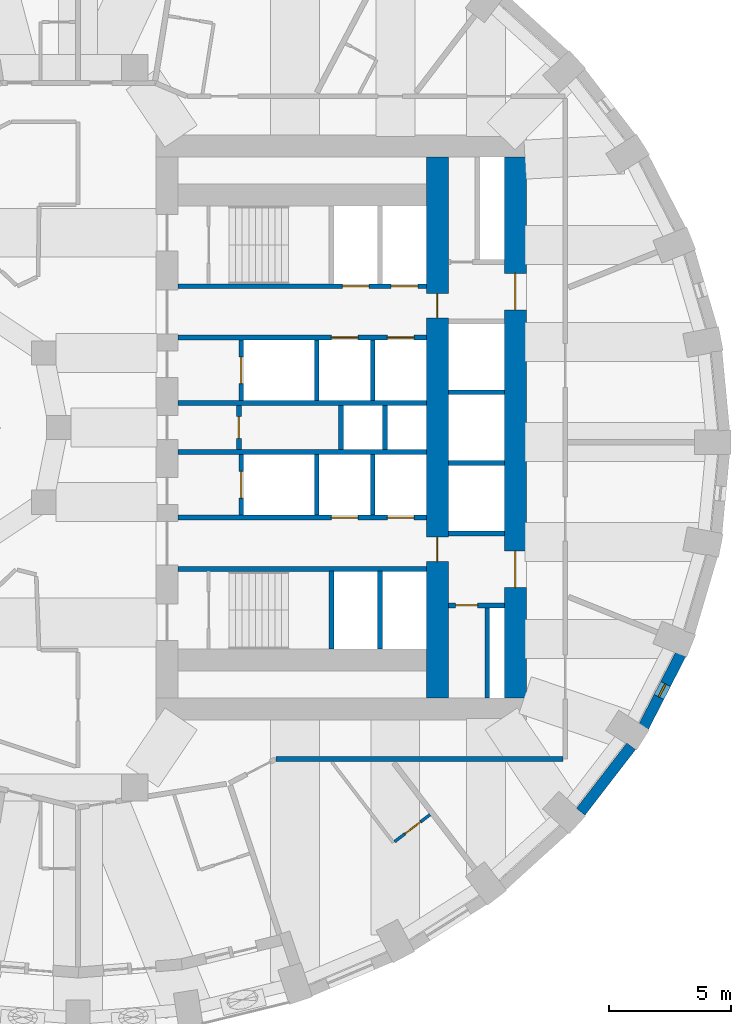
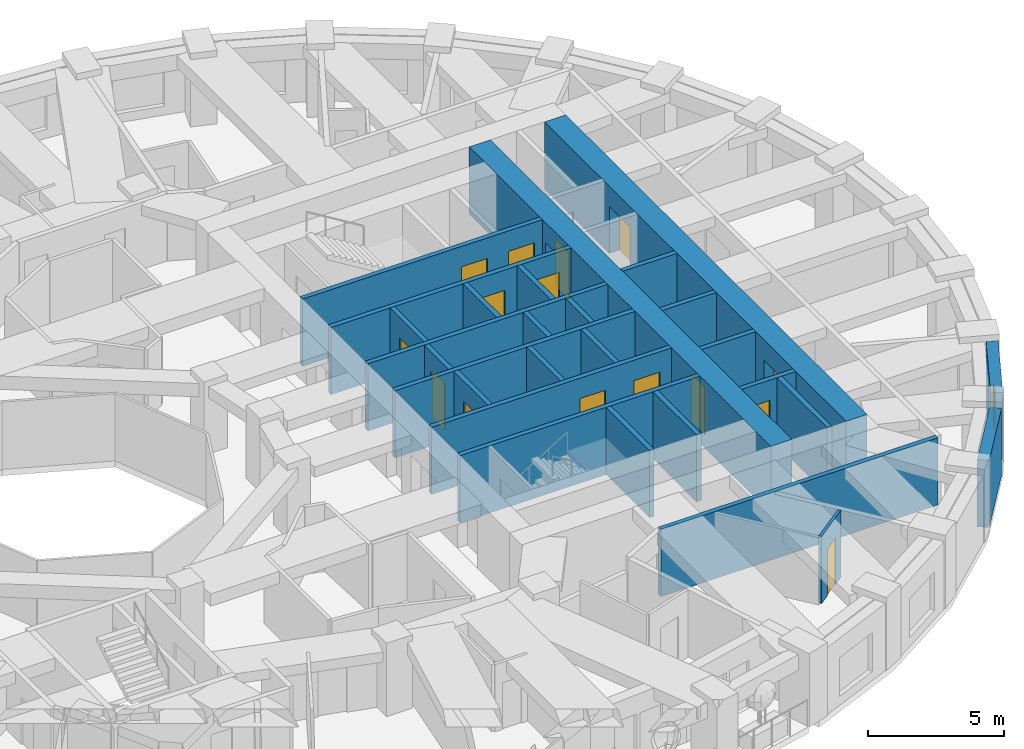
# One storey, part 6 of 13: 28 walls, 15 doors, 1 window, 16 openings.
"""IFC4 building model written with IfcOpenShell, lengths in metres."""

import ifcopenshell
import ifcopenshell.guid

model = None  # the IFC model being written
_history = None  # IfcOwnerHistory: only IFC2X3 demands one
_inside = {}  # id of a spatial element -> (the spatial element, [elements in it])
_under = {}  # id of a project, library or spatial element -> (it, [spatial elements below it])
_declared = {}  # id of a project -> (the project, [libraries it declares])
_typed = {}  # id of a type object -> (the type object, [elements of that type])
_made_of = {}  # id of a material, layer set ... -> (it, [elements and type objects made of it])


def new_model(schema):
    """Start an empty IFC model of exactly this schema.

    Asked for "IFC4X3", IfcOpenShell would pick the latest addendum, in which some entities
    have other attributes; the version numbers below select the first issue.
    IFC2X3 requires an IfcOwnerHistory on every rooted entity: one is made here for all.
    """
    global model, _history
    if schema == "IFC4X3":
        model = ifcopenshell.file(schema_version=(4, 3, 0, 0))
    else:
        model = ifcopenshell.file(schema=schema)
    _inside.clear()
    _under.clear()
    _declared.clear()
    _typed.clear()
    _made_of.clear()
    _history = None
    if model.schema == "IFC2X3":
        org = make("IfcOrganization", Name="unknown")
        user = make(
            "IfcPersonAndOrganization",
            ThePerson=make("IfcPerson", FamilyName="unknown"),
            TheOrganization=org,
        )
        app = make(
            "IfcApplication",
            ApplicationDeveloper=org,
            Version="unknown",
            ApplicationFullName="unknown",
            ApplicationIdentifier="unknown",
        )
        _history = make(
            "IfcOwnerHistory",
            OwningUser=user,
            OwningApplication=app,
            ChangeAction="ADDED",
            CreationDate=0,
        )
    return model


def make(cls, **values):
    """One entity of the class cls with the attributes given. An attribute that is None is left unset."""
    return model.create_entity(
        cls, **{name: value for name, value in values.items() if value is not None}
    )


def rooted(cls, **values):
    """An entity with a GlobalId (a new one), such as an element, a storey or a relation."""
    return make(cls, GlobalId=ifcopenshell.guid.new(), OwnerHistory=_history, **values)


def si_unit(unit_type, name, prefix=None):
    """IfcSIUnit, for example si_unit("LENGTHUNIT", "METRE", prefix="MILLI")."""
    return make("IfcSIUnit", UnitType=unit_type, Prefix=prefix, Name=name)


def assignment(units):
    """IfcUnitAssignment: the units of a project."""
    return None if units is None else make("IfcUnitAssignment", Units=units)


def point(xyz):
    """IfcCartesianPoint."""
    return None if xyz is None else make("IfcCartesianPoint", Coordinates=xyz)


def direction(xyz):
    """IfcDirection."""
    return None if xyz is None else make("IfcDirection", DirectionRatios=xyz)


def frame(location, z_axis=None, x_axis=None):
    """IfcAxis2Placement3D, a coordinate frame: its origin and axes. An axis left out is left unset."""
    return make(
        "IfcAxis2Placement3D",
        Location=point(location),
        Axis=direction(z_axis),
        RefDirection=direction(x_axis),
    )


def frame_2d(location, x_axis=None):
    """IfcAxis2Placement2D, a coordinate frame in the plane: its origin and x axis."""
    return make(
        "IfcAxis2Placement2D", Location=point(location), RefDirection=direction(x_axis)
    )


def origin():
    """The frame at (0, 0, 0) with its axes left unset."""
    return frame((0.0, 0.0, 0.0))


def place(relative_to, where):
    """IfcLocalPlacement: puts the frame where relative to a parent placement (None: the world)."""
    return make(
        "IfcLocalPlacement", PlacementRelTo=relative_to, RelativePlacement=where
    )


def context(
    kind, dimensions, precision=None, world=None, true_north=None, identifier=None
):
    """IfcGeometricRepresentationContext, for example the 3D "Model" context."""
    return make(
        "IfcGeometricRepresentationContext",
        ContextIdentifier=identifier,
        ContextType=kind,
        CoordinateSpaceDimension=dimensions,
        Precision=precision,
        WorldCoordinateSystem=world,
        TrueNorth=true_north,
    )


def subcontext(parent, identifier, kind, view, scale=None):
    """IfcGeometricRepresentationSubContext, for example "Body" below "Model"."""
    return make(
        "IfcGeometricRepresentationSubContext",
        ContextIdentifier=identifier,
        ContextType=kind,
        ParentContext=parent,
        TargetScale=scale,
        TargetView=view,
    )


def project(units=None, contexts=None):
    """IfcProject with its units and contexts."""
    return rooted(
        "IfcProject",
        Name="project",
        RepresentationContexts=contexts,
        UnitsInContext=assignment(units),
    )


def spatial(cls, under=None, at=None, **own):
    """A site, building, storey or space (cls), placed at a placement, below another one or the project."""
    s = rooted(cls, ObjectPlacement=at, **own)
    if under is not None:
        _under.setdefault(under.id(), (under, []))[1].append(s)
    return s


def profile(cls, at=None, kind="AREA", **sizes):
    """A parametric profile (cls). Its sizes go by their IFC names, for example OverallWidth=200.0."""
    return make(cls, ProfileType=kind, Position=at, **sizes)


def rectangle(**sizes):
    """IfcRectangleProfileDef."""
    return profile("IfcRectangleProfileDef", **sizes)


def extrude(swept, where, along, depth):
    """IfcExtrudedAreaSolid: the profile swept, set in the frame where, extruded along a direction by depth."""
    return make(
        "IfcExtrudedAreaSolid",
        SweptArea=swept,
        Position=where,
        ExtrudedDirection=direction(along),
        Depth=depth,
    )


def shape(context_of_items, identifier, shape_type, items):
    """IfcShapeRepresentation: the items that make up one representation, for example the "Body"."""
    return make(
        "IfcShapeRepresentation",
        ContextOfItems=context_of_items,
        RepresentationIdentifier=identifier,
        RepresentationType=shape_type,
        Items=items,
    )


def material(Name=None, Category=None):
    """IfcMaterial."""
    return make("IfcMaterial", Name=Name, Category=Category)


def layer(
    of_material, thickness, ventilated=None, Name=None, Category=None, Priority=None
):
    """IfcMaterialLayer: one layer of a wall or slab, of a material (None: an air gap)."""
    return make(
        "IfcMaterialLayer",
        Material=of_material,
        LayerThickness=thickness,
        IsVentilated=ventilated,
        Name=Name,
        Category=Category,
        Priority=Priority,
    )


def layer_set(layers, Name=None):
    """IfcMaterialLayerSet."""
    return make("IfcMaterialLayerSet", MaterialLayers=layers, LayerSetName=Name)


def made_of(thing, what):
    """Note that an element or type object is made of a material, layer set ...; save() writes the relation."""
    if what is not None:
        _made_of.setdefault(what.id(), (what, []))[1].append(thing)
    return thing


def type_object(cls, material=None, **own):
    """A type object (cls), such as IfcWallType, which elements share."""
    return made_of(rooted(cls, **own), material)


def element(
    cls,
    number,
    at=None,
    inside=None,
    cuts=None,
    type_object=None,
    material=None,
    context=None,
    identifier="Body",
    shape_type=None,
    held_by="IfcProductDefinitionShape",
    body=None,
    shapes=None,
    **own,
):
    """One element of the class cls, such as IfcWall. Its Tag is "e" and its number.

    at: its placement. inside: the storey or other place that contains it. cuts: it is an
    opening in that element (IfcRelVoidsElement). A single representation is given by context,
    identifier, shape_type and body (its items); several are given by shapes. held_by: the class
    of the entity that holds the representations. save() writes the other relations.
    """
    e = rooted(cls, Tag="e%d" % number, ObjectPlacement=at, **own)
    if body is not None:
        shapes = [shape(context, identifier, shape_type, body)]
    if shapes is not None:
        e.Representation = make(held_by, Representations=shapes)
    if inside is not None:
        _inside.setdefault(inside.id(), (inside, []))[1].append(e)
    if cuts is not None:
        rooted(
            "IfcRelVoidsElement", RelatingBuildingElement=cuts, RelatedOpeningElement=e
        )
    if type_object is not None:
        _typed.setdefault(type_object.id(), (type_object, []))[1].append(e)
    return made_of(e, material)


def fill(opening, filler):
    """IfcRelFillsElement: the door or window that sits in an opening."""
    return rooted(
        "IfcRelFillsElement",
        RelatingOpeningElement=opening,
        RelatedBuildingElement=filler,
    )


def aggregate(whole, parts):
    """IfcRelAggregates: a whole, such as a stair, and the parts it consists of."""
    return rooted("IfcRelAggregates", RelatingObject=whole, RelatedObjects=parts)


def save(model, path):
    """Write the relations noted so far, then the file.

    IfcRelAggregates (storeys below a building ...), IfcRelContainedInSpatialStructure (elements
    in a storey), IfcRelDefinesByType, IfcRelAssociatesMaterial and IfcRelDeclares: one each for
    every whole, place, type object, material and project.
    """
    for whole, parts in _under.values():
        aggregate(whole, parts)
    for where, things in _inside.values():
        rooted(
            "IfcRelContainedInSpatialStructure",
            RelatedElements=things,
            RelatingStructure=where,
        )
    for kind, things in _typed.values():
        rooted("IfcRelDefinesByType", RelatedObjects=things, RelatingType=kind)
    for what, things in _made_of.values():
        rooted("IfcRelAssociatesMaterial", RelatedObjects=things, RelatingMaterial=what)
    for by, libraries in _declared.values():
        rooted("IfcRelDeclares", RelatingContext=by, RelatedDefinitions=libraries)
    model.write(path)


model = new_model("IFC4")

# Units and contexts
model_context = context("Model", 3, precision=1e-05, world=origin(), true_north=direction((0.0, 1.0)))
body_context = subcontext(model_context, "Body", "Model", "MODEL_VIEW")
ifc_project = project(units=[si_unit("LENGTHUNIT", "METRE"), si_unit("AREAUNIT", "SQUARE_METRE"), si_unit("VOLUMEUNIT", "CUBIC_METRE"), si_unit("PLANEANGLEUNIT", "RADIAN"), si_unit("MASSUNIT", "GRAM", prefix="KILO")], contexts=[model_context])

# Site, building, storey
site_placement = place(None, origin())
site = spatial("IfcSite", under=ifc_project, at=site_placement, CompositionType="ELEMENT")
building_placement = place(site_placement, origin())
building = spatial("IfcBuilding", under=site, at=building_placement, Name="Taillehof Tower", CompositionType="ELEMENT")
storey_placement = place(building_placement, frame((0.0, 0.0, 112.0)))
storey = spatial("IfcBuildingStorey", under=building, at=storey_placement, Name="L31", CompositionType="ELEMENT", Elevation=112.0)

# Wall
ifc_material_1 = material(Name="Brick masonry", Category="masonry")
ifc_layer_1 = layer(ifc_material_1, 0.449951171875)
ifc_layer_set_1 = layer_set([ifc_layer_1], Name="Brick infill wall 450")
wall_type_1 = type_object("IfcWallType", Name="Brick infill wall 450", PredefinedType="SOLIDWALL", material=ifc_layer_set_1)
wall_1_placement = place(storey_placement, frame((21.43505859375, -15.775390625, 0.0), z_axis=(0.0, 0.0, 1.0), x_axis=(0.610693945156, 0.791866721961, 0.0)))
element("IfcWall", 1, at=wall_1_placement, inside=storey, type_object=wall_type_1, Name="Brick wall L31 bay 33", PredefinedType="SOLIDWALL", context=body_context, shape_type="SweptSolid", body=[
    extrude(rectangle(XDim=3.39453125, YDim=0.449951171875, at=frame_2d((1.697265625, 0.0))), origin(), (0.0, 0.0, 1.0), 3.02001953125),
])

# Wall, opening, window
wall_2_placement = place(storey_placement, frame((24.022705078125, -12.27685546875, 0.0), z_axis=(0.0, 0.0, 1.0), x_axis=(0.456828186229, 0.889554949549, 0.0)))
wall_2 = element("IfcWall", 2, at=wall_2_placement, inside=storey, type_object=wall_type_1, Name="Brick wall L31 bay 34", PredefinedType="SOLIDWALL", context=body_context, shape_type="SweptSolid", body=[
    extrude(rectangle(XDim=3.332763671875, YDim=0.449951171875, at=frame_2d((1.66650390625, 0.0))), origin(), (0.0, 0.0, 1.0), 3.02001953125),
])
opening_1_placement = place(wall_2_placement, frame((1.366455078125, 0.0, 0.39990234375)))
opening_1 = element("IfcOpeningElement", 3, at=opening_1_placement, cuts=wall_2, Name="Opening W6", PredefinedType="OPENING", context=body_context, shape_type="SweptSolid", body=[
    extrude(rectangle(XDim=0.60009765625, YDim=1.75, at=frame_2d((0.300048828125, 0.875))), frame((0.0, 0.23486328125, 0.0), z_axis=(0.0, -1.0, 0.0), x_axis=(1.0, 0.0, 0.0)), (0.0, 0.0, 1.0), 0.469970703125),
])
ifc_material_2 = material(Name="Aluminium window frame with clear double glazing", Category="aluminium")
window_type = type_object("IfcWindowType", Name="Slot window 600x1750", PartitioningType="SINGLE_PANEL", PredefinedType="WINDOW", material=ifc_material_2)
window_placement = place(opening_1_placement, origin())
window = element("IfcWindow", 4, at=window_placement, inside=storey, type_object=window_type, Name="W6", OverallHeight=1.75, OverallWidth=0.60009765625, PartitioningType="SINGLE_PANEL", PredefinedType="WINDOW", context=body_context, shape_type="SweptSolid", body=[
    extrude(rectangle(XDim=0.60009765625, YDim=1.75, at=frame_2d((0.300048828125, 0.875))), frame((0.0, 0.034912109375, 0.0), z_axis=(0.0, -1.0, 0.0), x_axis=(1.0, 0.0, 0.0)), (0.0, 0.0, 1.0), 0.06005859375),
])
fill(opening_1, window)

# Wall, opening, door
ifc_material_3 = material(Name="Calcium silicate masonry", Category="masonry")
ifc_layer_2 = layer(ifc_material_3, 0.199951171875)
ifc_layer_set_2 = layer_set([ifc_layer_2], Name="Compartment wall calcium silicate 200")
wall_type_2 = type_object("IfcWallType", Name="Compartment wall calcium silicate 200", PredefinedType="PARTITIONING", material=ifc_layer_set_2)
wall_3_placement = place(storey_placement, frame((7.39990234375, -0.89990234375, 0.0), z_axis=(0.0, 0.0, 1.0), x_axis=(0.0, 1.0, 0.0)))
wall_3 = element("IfcWall", 5, at=wall_3_placement, inside=storey, type_object=wall_type_2, Name="Compartment wall FW", PredefinedType="PARTITIONING", context=body_context, shape_type="SweptSolid", body=[
    extrude(rectangle(XDim=1.7998046875, YDim=0.199951171875, at=frame_2d((0.89990234375, 0.0))), origin(), (0.0, 0.0, 1.0), 3.02001953125),
])
opening_2_placement = place(wall_3_placement, frame((0.449951171875, 0.0, 0.0)))
opening_2 = element("IfcOpeningElement", 6, at=opening_2_placement, cuts=wall_3, Name="Opening D3114", PredefinedType="OPENING", context=body_context, shape_type="SweptSolid", body=[
    extrude(rectangle(XDim=0.89990234375, YDim=2.10009765625, at=frame_2d((0.449951171875, 1.050048828125))), frame((0.0, 0.10986328125, 0.0), z_axis=(0.0, -1.0, 0.0), x_axis=(1.0, 0.0, 0.0)), (0.0, 0.0, 1.0), 0.219970703125),
])
ifc_material_4 = material(Name="Steel-faced fire door", Category="steel")
door_type_1 = type_object("IfcDoorType", Name="Riser and service room door 900x2100", OperationType="SINGLE_SWING_LEFT", PredefinedType="DOOR", material=ifc_material_4)
door_1_placement = place(opening_2_placement, origin())
door_1 = element("IfcDoor", 7, at=door_1_placement, inside=storey, type_object=door_type_1, Name="Door Ice And Pantry Room", OperationType="SINGLE_SWING_RIGHT", OverallHeight=2.10009765625, OverallWidth=0.89990234375, PredefinedType="DOOR", context=body_context, shape_type="SweptSolid", body=[
    extrude(rectangle(XDim=0.89990234375, YDim=2.10009765625, at=frame_2d((0.449951171875, 1.050048828125))), frame((0.0, 0.02490234375, 0.0), z_axis=(0.0, -1.0, 0.0), x_axis=(1.0, 0.0, 0.0)), (0.0, 0.0, 1.0), 0.050048828125),
])
fill(opening_2, door_1)

# Walls
for number, where, z_axis, x_axis, name in (
    (8, (11.60009765625, -0.89990234375, 0.0), (0.0, 0.0, 1.0), (0.0, 1.0, 0.0), "Compartment wall FW"),
    (9, (13.39990234375, -0.89990234375, 0.0), (0.0, 0.0, 1.0), (0.0, 1.0, 0.0), "Compartment wall FW"),
):
    element("IfcWall", number, at=place(storey_placement, frame(where, z_axis=z_axis, x_axis=x_axis)), inside=storey, type_object=wall_type_2, Name=name, PredefinedType="PARTITIONING", context=body_context, shape_type="SweptSolid", body=[
        extrude(rectangle(XDim=1.7998046875, YDim=0.199951171875, at=frame_2d((0.89990234375, 0.0))), origin(), (0.0, 0.0, 1.0), 3.02001953125),
    ])

# Wall, opening, door
wall_4_placement = place(storey_placement, frame((16.0, -7.300048828125, 0.0), z_axis=(0.0, 0.0, 1.0), x_axis=(1.0, 0.0, 0.0)))
wall_4 = element("IfcWall", 10, at=wall_4_placement, inside=storey, type_object=wall_type_2, Name="Compartment wall FW", PredefinedType="PARTITIONING", context=body_context, shape_type="SweptSolid", body=[
    extrude(rectangle(XDim=2.300048828125, YDim=0.199951171875, at=frame_2d((1.14990234375, 0.0))), origin(), (0.0, 0.0, 1.0), 3.02001953125),
])
opening_3_placement = place(wall_4_placement, frame((0.300048828125, 0.0, 0.0)))
opening_3 = element("IfcOpeningElement", 11, at=opening_3_placement, cuts=wall_4, Name="Opening D3118", PredefinedType="OPENING", context=body_context, shape_type="SweptSolid", body=[
    extrude(rectangle(XDim=0.89990234375, YDim=2.10009765625, at=frame_2d((0.449951171875, 1.050048828125))), frame((0.0, 0.10986328125, 0.0), z_axis=(0.0, -1.0, 0.0), x_axis=(1.0, 0.0, 0.0)), (0.0, 0.0, 1.0), 0.219970703125),
])
door_2_placement = place(opening_3_placement, origin())
door_2 = element("IfcDoor", 12, at=door_2_placement, inside=storey, type_object=door_type_1, Name="Door Waste Room", OperationType="SINGLE_SWING_LEFT", OverallHeight=2.10009765625, OverallWidth=0.89990234375, PredefinedType="DOOR", context=body_context, shape_type="SweptSolid", body=[
    extrude(rectangle(XDim=0.89990234375, YDim=2.10009765625, at=frame_2d((0.449951171875, 1.050048828125))), frame((0.0, 0.02490234375, 0.0), z_axis=(0.0, -1.0, 0.0), x_axis=(1.0, 0.0, 0.0)), (0.0, 0.0, 1.0), 0.050048828125),
])
fill(opening_3, door_2)

# Walls
wall_5_placement = place(storey_placement, frame((17.60009765625, -11.10009765625, 0.0), z_axis=(0.0, 0.0, 1.0), x_axis=(0.0, 1.0, 0.0)))
element("IfcWall", 13, at=wall_5_placement, inside=storey, type_object=wall_type_2, Name="Compartment wall FW", PredefinedType="PARTITIONING", context=body_context, shape_type="SweptSolid", body=[
    extrude(rectangle(XDim=3.7001953125, YDim=0.199951171875, at=frame_2d((1.85009765625, 0.0))), origin(), (0.0, 0.0, 1.0), 3.02001953125),
])
ifc_material_5 = material(Name="Gypsum board on steel studs, two layers each side", Category="steel")
ifc_layer_3 = layer(ifc_material_5, 0.199951171875)
ifc_layer_set_3 = layer_set([ifc_layer_3], Name="Compartment wall corridor 200")
wall_type_3 = type_object("IfcWallType", Name="Compartment wall corridor 200", PredefinedType="PARTITIONING", material=ifc_layer_set_3)
wall_6_placement = place(storey_placement, frame((20.699951171875, -13.60009765625, 0.0), z_axis=(0.0, 0.0, 1.0), x_axis=(-1.0, 0.0, 0.0)))
element("IfcWall", 14, at=wall_6_placement, inside=storey, type_object=wall_type_3, Name="Compartment wall", PredefinedType="PARTITIONING", context=body_context, shape_type="SweptSolid", body=[
    extrude(rectangle(XDim=11.77197265625, YDim=0.199951171875, at=frame_2d((5.885986328125, 0.0))), origin(), (0.0, 0.0, 1.0), 3.02001953125),
])

# Wall, openings, doors
ifc_material_6 = material(Name="Concrete C80/95", Category="concrete")
ifc_layer_4 = layer(ifc_material_6, 0.89990234375)
ifc_layer_set_4 = layer_set([ifc_layer_4], Name="Core wall C80/95 900")
wall_type_4 = type_object("IfcWallType", Name="Core wall C80/95 900", PredefinedType="SHEAR", material=ifc_layer_set_4)
wall_7_placement = place(storey_placement, frame((18.75, -11.10009765625, 0.0), z_axis=(0.0, 0.0, 1.0), x_axis=(0.0, 1.0, 0.0)))
wall_7 = element("IfcWall", 15, at=wall_7_placement, inside=storey, type_object=wall_type_4, Name="Core wall CW02", PredefinedType="SHEAR", context=body_context, shape_type="SweptSolid", body=[
    extrude(rectangle(XDim=22.2001953125, YDim=0.89990234375, at=frame_2d((11.10009765625, 0.0))), origin(), (0.0, 0.0, 1.0), 3.02001953125),
])
opening_4_placement = place(wall_7_placement, frame((15.925048828125, 0.0, 0.0)))
opening_4 = element("IfcOpeningElement", 16, at=opening_4_placement, cuts=wall_7, Name="Opening D3108", PredefinedType="OPENING", context=body_context, shape_type="SweptSolid", body=[
    extrude(rectangle(XDim=1.5, YDim=2.10009765625, at=frame_2d((0.75, 1.050048828125))), frame((0.0, 0.4599609375, 0.0), z_axis=(0.0, -1.0, 0.0), x_axis=(1.0, 0.0, 0.0)), (0.0, 0.0, 1.0), 0.919921875),
])
opening_5_placement = place(wall_7_placement, frame((4.52490234375, 0.0, 0.0)))
opening_5 = element("IfcOpeningElement", 17, at=opening_5_placement, cuts=wall_7, Name="Opening D3109", PredefinedType="OPENING", context=body_context, shape_type="SweptSolid", body=[
    extrude(rectangle(XDim=1.5, YDim=2.10009765625, at=frame_2d((0.75, 1.050048828125))), frame((0.0, 0.4599609375, 0.0), z_axis=(0.0, -1.0, 0.0), x_axis=(1.0, 0.0, 0.0)), (0.0, 0.0, 1.0), 0.919921875),
])
ifc_material_7 = material(Name="Steel-faced fire door", Category="steel")
door_type_2 = type_object("IfcDoorType", Name="Lift lobby east door 1500x2100", OperationType="DOUBLE_DOOR_SINGLE_SWING", PredefinedType="DOOR", material=ifc_material_7)
door_3_placement = place(opening_4_placement, origin())
door_3 = element("IfcDoor", 18, at=door_3_placement, inside=storey, type_object=door_type_2, Name="Lift lobby east door north", OperationType="DOUBLE_DOOR_SINGLE_SWING", OverallHeight=2.10009765625, OverallWidth=1.5, PredefinedType="DOOR", context=body_context, shape_type="SweptSolid", body=[
    extrude(rectangle(XDim=1.5, YDim=2.10009765625, at=frame_2d((0.75, 1.050048828125))), frame((0.0, 0.02490234375, 0.0), z_axis=(0.0, -1.0, 0.0), x_axis=(1.0, 0.0, 0.0)), (0.0, 0.0, 1.0), 0.050048828125),
])
fill(opening_4, door_3)
door_4_placement = place(opening_5_placement, origin())
door_4 = element("IfcDoor", 19, at=door_4_placement, inside=storey, type_object=door_type_2, Name="Lift lobby east door south", OperationType="DOUBLE_DOOR_SINGLE_SWING", OverallHeight=2.10009765625, OverallWidth=1.5, PredefinedType="DOOR", context=body_context, shape_type="SweptSolid", body=[
    extrude(rectangle(XDim=1.5, YDim=2.10009765625, at=frame_2d((0.75, 1.050048828125))), frame((0.0, 0.02490234375, 0.0), z_axis=(0.0, -1.0, 0.0), x_axis=(1.0, 0.0, 0.0)), (0.0, 0.0, 1.0), 0.050048828125),
])
fill(opening_5, door_4)

wall_8_placement = place(storey_placement, frame((15.550048828125, -11.10009765625, 0.0), z_axis=(0.0, 0.0, 1.0), x_axis=(0.0, 1.0, 0.0)))
wall_8 = element("IfcWall", 20, at=wall_8_placement, inside=storey, type_object=wall_type_4, Name="Core wall CW05", PredefinedType="SHEAR", context=body_context, shape_type="SweptSolid", body=[
    extrude(rectangle(XDim=22.2001953125, YDim=0.89990234375, at=frame_2d((11.10009765625, 0.0))), origin(), (0.0, 0.0, 1.0), 3.02001953125),
])
opening_6_placement = place(wall_8_placement, frame((15.60009765625, 0.0, 0.0)))
opening_6 = element("IfcOpeningElement", 21, at=opening_6_placement, cuts=wall_8, Name="Opening D3115", PredefinedType="OPENING", context=body_context, shape_type="SweptSolid", body=[
    extrude(rectangle(XDim=1.0, YDim=2.10009765625, at=frame_2d((0.5, 1.050048828125))), frame((0.0, 0.4599609375, 0.0), z_axis=(0.0, -1.0, 0.0), x_axis=(1.0, 0.0, 0.0)), (0.0, 0.0, 1.0), 0.919921875),
])
opening_7_placement = place(wall_8_placement, frame((5.60009765625, 0.0, 0.0)))
opening_7 = element("IfcOpeningElement", 22, at=opening_7_placement, cuts=wall_8, Name="Opening D3117", PredefinedType="OPENING", context=body_context, shape_type="SweptSolid", body=[
    extrude(rectangle(XDim=1.0, YDim=2.10009765625, at=frame_2d((0.5, 1.050048828125))), frame((0.0, 0.4599609375, 0.0), z_axis=(0.0, -1.0, 0.0), x_axis=(1.0, 0.0, 0.0)), (0.0, 0.0, 1.0), 0.919921875),
])
ifc_material_8 = material(Name="Steel-faced fire door", Category="steel")
door_type_3 = type_object("IfcDoorType", Name="Service door 1000x2100", OperationType="SINGLE_SWING_RIGHT", PredefinedType="DOOR", material=ifc_material_8)
door_5_placement = place(opening_6_placement, origin())
door_5 = element("IfcDoor", 23, at=door_5_placement, inside=storey, type_object=door_type_3, Name="Service door strip", OperationType="SINGLE_SWING_RIGHT", OverallHeight=2.10009765625, OverallWidth=1.0, PredefinedType="DOOR", context=body_context, shape_type="SweptSolid", body=[
    extrude(rectangle(XDim=1.0, YDim=2.10009765625, at=frame_2d((0.5, 1.050048828125))), frame((0.0, 0.02490234375, 0.0), z_axis=(0.0, -1.0, 0.0), x_axis=(1.0, 0.0, 0.0)), (0.0, 0.0, 1.0), 0.050048828125),
])
fill(opening_6, door_5)
door_6_placement = place(opening_7_placement, origin())
door_6 = element("IfcDoor", 24, at=door_6_placement, inside=storey, type_object=door_type_3, Name="Service door strip", OperationType="SINGLE_SWING_LEFT", OverallHeight=2.10009765625, OverallWidth=1.0, PredefinedType="DOOR", context=body_context, shape_type="SweptSolid", body=[
    extrude(rectangle(XDim=1.0, YDim=2.10009765625, at=frame_2d((0.5, 1.050048828125))), frame((0.0, 0.02490234375, 0.0), z_axis=(0.0, -1.0, 0.0), x_axis=(1.0, 0.0, 0.0)), (0.0, 0.0, 1.0), 0.050048828125),
])
fill(opening_7, door_6)

# Wall, opening, door
ifc_material_9 = material(Name="Gypsum board on steel studs, moisture resistant", Category="steel")
ifc_layer_5 = layer(ifc_material_9, 0.1201171875)
ifc_layer_set_5 = layer_set([ifc_layer_5], Name="En-suite wall 120")
wall_type_5 = type_object("IfcWallType", Name="En-suite wall 120", PredefinedType="PARTITIONING", material=ifc_layer_set_5)
wall_9_placement = place(storey_placement, frame((13.793701171875, -17.00244140625, 0.0), z_axis=(0.0, 0.0, 1.0), x_axis=(0.794653128783, 0.607063756878, 0.0)))
wall_9 = element("IfcWall", 25, at=wall_9_placement, inside=storey, type_object=wall_type_5, Name="En-suite wall", PredefinedType="PARTITIONING", context=body_context, shape_type="SweptSolid", body=[
    extrude(rectangle(XDim=1.829833984375, YDim=0.1201171875, at=frame_2d((0.9150390625, 0.0))), origin(), (0.0, 0.0, 1.0), 3.02001953125),
])
opening_8_placement = place(wall_9_placement, frame((0.539794921875, 0.0, 0.0)))
opening_8 = element("IfcOpeningElement", 26, at=opening_8_placement, cuts=wall_9, Name="Opening D3163", PredefinedType="OPENING", context=body_context, shape_type="SweptSolid", body=[
    extrude(rectangle(XDim=0.800048828125, YDim=2.10009765625, at=frame_2d((0.39990234375, 1.050048828125))), frame((0.0, 0.070068359375, 0.0), z_axis=(0.0, -1.0, 0.0), x_axis=(1.0, 0.0, 0.0)), (0.0, 0.0, 1.0), 0.14013671875),
])
ifc_material_10 = material(Name="Timber door leaf in steel frame", Category="steel")
door_type_4 = type_object("IfcDoorType", Name="En-suite door 800 x 2100", OperationType="SINGLE_SWING_LEFT", PredefinedType="DOOR", material=ifc_material_10)
door_7_placement = place(opening_8_placement, origin())
door_7 = element("IfcDoor", 27, at=door_7_placement, inside=storey, type_object=door_type_4, Name="D3163", OperationType="SINGLE_SWING_LEFT", OverallHeight=2.10009765625, OverallWidth=0.800048828125, PredefinedType="DOOR", context=body_context, shape_type="SweptSolid", body=[
    extrude(rectangle(XDim=0.800048828125, YDim=2.10009765625, at=frame_2d((0.39990234375, 1.050048828125))), frame((0.0, 0.02490234375, 0.0), z_axis=(0.0, -1.0, 0.0), x_axis=(1.0, 0.0, 0.0)), (0.0, 0.0, 1.0), 0.050048828125),
])
fill(opening_8, door_7)

# Wall, openings, doors
ifc_material_11 = material(Name="Concrete C50/60", Category="concrete")
ifc_layer_6 = layer(ifc_material_11, 0.199951171875)
ifc_layer_set_6 = layer_set([ifc_layer_6], Name="Shaft wall C50/60 200")
wall_type_6 = type_object("IfcWallType", Name="Shaft wall C50/60 200", PredefinedType="SHEAR", material=ifc_layer_set_6)
wall_10_placement = place(storey_placement, frame((4.89990234375, 5.800048828125, 0.0), z_axis=(0.0, 0.0, 1.0), x_axis=(1.0, 0.0, 0.0)))
wall_10 = element("IfcWall", 28, at=wall_10_placement, inside=storey, type_object=wall_type_6, Name="Shaft wall SW", PredefinedType="SHEAR", context=body_context, shape_type="SweptSolid", body=[
    extrude(rectangle(XDim=10.2001953125, YDim=0.199951171875, at=frame_2d((5.10009765625, 0.0))), origin(), (0.0, 0.0, 1.0), 3.02001953125),
])
opening_9_placement = place(wall_10_placement, frame((6.75, 0.0, 0.0)))
opening_9 = element("IfcOpeningElement", 29, at=opening_9_placement, cuts=wall_10, Name="Opening LD1", PredefinedType="OPENING", context=body_context, shape_type="SweptSolid", body=[
    extrude(rectangle(XDim=1.10009765625, YDim=2.10009765625, at=frame_2d((0.550048828125, 1.050048828125))), frame((0.0, 0.10986328125, 0.0), z_axis=(0.0, -1.0, 0.0), x_axis=(1.0, 0.0, 0.0)), (0.0, 0.0, 1.0), 0.219970703125),
])
opening_10_placement = place(wall_10_placement, frame((8.75, 0.0, 0.0)))
opening_10 = element("IfcOpeningElement", 30, at=opening_10_placement, cuts=wall_10, Name="Opening LD1", PredefinedType="OPENING", context=body_context, shape_type="SweptSolid", body=[
    extrude(rectangle(XDim=1.10009765625, YDim=2.10009765625, at=frame_2d((0.550048828125, 1.050048828125))), frame((0.0, 0.10986328125, 0.0), z_axis=(0.0, -1.0, 0.0), x_axis=(1.0, 0.0, 0.0)), (0.0, 0.0, 1.0), 0.219970703125),
])
ifc_material_12 = material(Name="Stainless steel", Category="steel")
door_type_5 = type_object("IfcDoorType", Name="Lift landing door LD1 1100x2100", OperationType="DOUBLE_DOOR_SLIDING", PredefinedType="DOOR", material=ifc_material_12)
door_8_placement = place(opening_9_placement, origin())
door_8 = element("IfcDoor", 31, at=door_8_placement, inside=storey, type_object=door_type_5, Name="Landing door LR1", OperationType="DOUBLE_DOOR_SLIDING", OverallHeight=2.10009765625, OverallWidth=1.10009765625, PredefinedType="DOOR", context=body_context, shape_type="SweptSolid", body=[
    extrude(rectangle(XDim=1.10009765625, YDim=2.10009765625, at=frame_2d((0.550048828125, 1.050048828125))), frame((0.0, 0.02490234375, 0.0), z_axis=(0.0, -1.0, 0.0), x_axis=(1.0, 0.0, 0.0)), (0.0, 0.0, 1.0), 0.050048828125),
])
fill(opening_9, door_8)
door_9_placement = place(opening_10_placement, origin())
door_9 = element("IfcDoor", 32, at=door_9_placement, inside=storey, type_object=door_type_5, Name="Landing door LR2", OperationType="DOUBLE_DOOR_SLIDING", OverallHeight=2.10009765625, OverallWidth=1.10009765625, PredefinedType="DOOR", context=body_context, shape_type="SweptSolid", body=[
    extrude(rectangle(XDim=1.10009765625, YDim=2.10009765625, at=frame_2d((0.550048828125, 1.050048828125))), frame((0.0, 0.02490234375, 0.0), z_axis=(0.0, -1.0, 0.0), x_axis=(1.0, 0.0, 0.0)), (0.0, 0.0, 1.0), 0.050048828125),
])
fill(opening_10, door_9)

wall_11_placement = place(storey_placement, frame((4.89990234375, 3.699951171875, 0.0), z_axis=(0.0, 0.0, 1.0), x_axis=(1.0, 0.0, 0.0)))
wall_11 = element("IfcWall", 33, at=wall_11_placement, inside=storey, type_object=wall_type_6, Name="Shaft wall SW", PredefinedType="SHEAR", context=body_context, shape_type="SweptSolid", body=[
    extrude(rectangle(XDim=10.2001953125, YDim=0.199951171875, at=frame_2d((5.10009765625, 0.0))), origin(), (0.0, 0.0, 1.0), 3.02001953125),
])
opening_11_placement = place(wall_11_placement, frame((6.300048828125, 0.0, 0.0)))
opening_11 = element("IfcOpeningElement", 34, at=opening_11_placement, cuts=wall_11, Name="Opening LD1", PredefinedType="OPENING", context=body_context, shape_type="SweptSolid", body=[
    extrude(rectangle(XDim=1.10009765625, YDim=2.10009765625, at=frame_2d((0.550048828125, 1.050048828125))), frame((0.0, 0.10986328125, 0.0), z_axis=(0.0, -1.0, 0.0), x_axis=(1.0, 0.0, 0.0)), (0.0, 0.0, 1.0), 0.219970703125),
])
opening_12_placement = place(wall_11_placement, frame((8.60009765625, 0.0, 0.0)))
opening_12 = element("IfcOpeningElement", 35, at=opening_12_placement, cuts=wall_11, Name="Opening LD1", PredefinedType="OPENING", context=body_context, shape_type="SweptSolid", body=[
    extrude(rectangle(XDim=1.10009765625, YDim=2.10009765625, at=frame_2d((0.550048828125, 1.050048828125))), frame((0.0, 0.10986328125, 0.0), z_axis=(0.0, -1.0, 0.0), x_axis=(1.0, 0.0, 0.0)), (0.0, 0.0, 1.0), 0.219970703125),
])
door_10_placement = place(opening_11_placement, origin())
door_10 = element("IfcDoor", 36, at=door_10_placement, inside=storey, type_object=door_type_5, Name="Landing door LR3", OperationType="DOUBLE_DOOR_SLIDING", OverallHeight=2.10009765625, OverallWidth=1.10009765625, PredefinedType="DOOR", context=body_context, shape_type="SweptSolid", body=[
    extrude(rectangle(XDim=1.10009765625, YDim=2.10009765625, at=frame_2d((0.550048828125, 1.050048828125))), frame((0.0, 0.02490234375, 0.0), z_axis=(0.0, -1.0, 0.0), x_axis=(1.0, 0.0, 0.0)), (0.0, 0.0, 1.0), 0.050048828125),
])
fill(opening_11, door_10)
door_11_placement = place(opening_12_placement, origin())
door_11 = element("IfcDoor", 37, at=door_11_placement, inside=storey, type_object=door_type_5, Name="Landing door LR4", OperationType="DOUBLE_DOOR_SLIDING", OverallHeight=2.10009765625, OverallWidth=1.10009765625, PredefinedType="DOOR", context=body_context, shape_type="SweptSolid", body=[
    extrude(rectangle(XDim=1.10009765625, YDim=2.10009765625, at=frame_2d((0.550048828125, 1.050048828125))), frame((0.0, 0.02490234375, 0.0), z_axis=(0.0, -1.0, 0.0), x_axis=(1.0, 0.0, 0.0)), (0.0, 0.0, 1.0), 0.050048828125),
])
fill(opening_12, door_11)

# Walls
for number, where, z_axis, x_axis, name in (
    (38, (4.89990234375, 1.0, 0.0), (0.0, 0.0, 1.0), (1.0, 0.0, 0.0), "Shaft wall SW"),
    (39, (4.89990234375, -1.0, 0.0), (0.0, 0.0, 1.0), (1.0, 0.0, 0.0), "Shaft wall SW"),
):
    element("IfcWall", number, at=place(storey_placement, frame(where, z_axis=z_axis, x_axis=x_axis)), inside=storey, type_object=wall_type_6, Name=name, PredefinedType="SHEAR", context=body_context, shape_type="SweptSolid", body=[
        extrude(rectangle(XDim=10.2001953125, YDim=0.199951171875, at=frame_2d((5.10009765625, 0.0))), origin(), (0.0, 0.0, 1.0), 3.02001953125),
    ])

# Wall, openings, doors
wall_12_placement = place(storey_placement, frame((4.89990234375, -3.699951171875, 0.0), z_axis=(0.0, 0.0, 1.0), x_axis=(1.0, 0.0, 0.0)))
wall_12 = element("IfcWall", 40, at=wall_12_placement, inside=storey, type_object=wall_type_6, Name="Shaft wall SW", PredefinedType="SHEAR", context=body_context, shape_type="SweptSolid", body=[
    extrude(rectangle(XDim=10.2001953125, YDim=0.199951171875, at=frame_2d((5.10009765625, 0.0))), origin(), (0.0, 0.0, 1.0), 3.02001953125),
])
opening_13_placement = place(wall_12_placement, frame((6.300048828125, 0.0, 0.0)))
opening_13 = element("IfcOpeningElement", 41, at=opening_13_placement, cuts=wall_12, Name="Opening LD1", PredefinedType="OPENING", context=body_context, shape_type="SweptSolid", body=[
    extrude(rectangle(XDim=1.10009765625, YDim=2.10009765625, at=frame_2d((0.550048828125, 1.050048828125))), frame((0.0, 0.10986328125, 0.0), z_axis=(0.0, -1.0, 0.0), x_axis=(1.0, 0.0, 0.0)), (0.0, 0.0, 1.0), 0.219970703125),
])
opening_14_placement = place(wall_12_placement, frame((8.60009765625, 0.0, 0.0)))
opening_14 = element("IfcOpeningElement", 42, at=opening_14_placement, cuts=wall_12, Name="Opening LD1", PredefinedType="OPENING", context=body_context, shape_type="SweptSolid", body=[
    extrude(rectangle(XDim=1.10009765625, YDim=2.10009765625, at=frame_2d((0.550048828125, 1.050048828125))), frame((0.0, 0.10986328125, 0.0), z_axis=(0.0, -1.0, 0.0), x_axis=(1.0, 0.0, 0.0)), (0.0, 0.0, 1.0), 0.219970703125),
])
door_12_placement = place(opening_13_placement, origin())
door_12 = element("IfcDoor", 43, at=door_12_placement, inside=storey, type_object=door_type_5, Name="Landing door LR5", OperationType="DOUBLE_DOOR_SLIDING", OverallHeight=2.10009765625, OverallWidth=1.10009765625, PredefinedType="DOOR", context=body_context, shape_type="SweptSolid", body=[
    extrude(rectangle(XDim=1.10009765625, YDim=2.10009765625, at=frame_2d((0.550048828125, 1.050048828125))), frame((0.0, 0.02490234375, 0.0), z_axis=(0.0, -1.0, 0.0), x_axis=(1.0, 0.0, 0.0)), (0.0, 0.0, 1.0), 0.050048828125),
])
fill(opening_13, door_12)
door_13_placement = place(opening_14_placement, origin())
door_13 = element("IfcDoor", 44, at=door_13_placement, inside=storey, type_object=door_type_5, Name="Landing door LR6", OperationType="DOUBLE_DOOR_SLIDING", OverallHeight=2.10009765625, OverallWidth=1.10009765625, PredefinedType="DOOR", context=body_context, shape_type="SweptSolid", body=[
    extrude(rectangle(XDim=1.10009765625, YDim=2.10009765625, at=frame_2d((0.550048828125, 1.050048828125))), frame((0.0, 0.02490234375, 0.0), z_axis=(0.0, -1.0, 0.0), x_axis=(1.0, 0.0, 0.0)), (0.0, 0.0, 1.0), 0.050048828125),
])
fill(opening_14, door_13)

# Walls
wall_13_placement = place(storey_placement, frame((4.89990234375, -5.800048828125, 0.0), z_axis=(0.0, 0.0, 1.0), x_axis=(1.0, 0.0, 0.0)))
element("IfcWall", 45, at=wall_13_placement, inside=storey, type_object=wall_type_6, Name="Shaft wall SW", PredefinedType="SHEAR", context=body_context, shape_type="SweptSolid", body=[
    extrude(rectangle(XDim=10.2001953125, YDim=0.199951171875, at=frame_2d((5.10009765625, 0.0))), origin(), (0.0, 0.0, 1.0), 3.02001953125),
])
for number, where, z_axis, x_axis, name in (
    (46, (11.199951171875, -9.10009765625, 0.0), (0.0, 0.0, 1.0), (0.0, 1.0, 0.0), "Shaft wall SW"),
    (47, (13.199951171875, -9.10009765625, 0.0), (0.0, 0.0, 1.0), (0.0, 1.0, 0.0), "Shaft wall SW"),
):
    element("IfcWall", number, at=place(storey_placement, frame(where, z_axis=z_axis, x_axis=x_axis)), inside=storey, type_object=wall_type_6, Name=name, PredefinedType="SHEAR", context=body_context, shape_type="SweptSolid", body=[
        extrude(rectangle(XDim=3.2001953125, YDim=0.199951171875, at=frame_2d((1.60009765625, 0.0))), origin(), (0.0, 0.0, 1.0), 3.02001953125),
    ])

# Wall, opening, door
wall_14_placement = place(storey_placement, frame((7.5, 1.10009765625, 0.0), z_axis=(0.0, 0.0, 1.0), x_axis=(0.0, 1.0, 0.0)))
wall_14 = element("IfcWall", 48, at=wall_14_placement, inside=storey, type_object=wall_type_6, Name="Shaft wall SW", PredefinedType="SHEAR", context=body_context, shape_type="SweptSolid", body=[
    extrude(rectangle(XDim=2.5, YDim=0.199951171875, at=frame_2d((1.25, 0.0))), origin(), (0.0, 0.0, 1.0), 3.02001953125),
])
opening_15_placement = place(wall_14_placement, frame((0.699951171875, 0.0, 0.0)))
opening_15 = element("IfcOpeningElement", 49, at=opening_15_placement, cuts=wall_14, Name="Opening LD1", PredefinedType="OPENING", context=body_context, shape_type="SweptSolid", body=[
    extrude(rectangle(XDim=1.10009765625, YDim=2.10009765625, at=frame_2d((0.550048828125, 1.050048828125))), frame((0.0, 0.10986328125, 0.0), z_axis=(0.0, -1.0, 0.0), x_axis=(1.0, 0.0, 0.0)), (0.0, 0.0, 1.0), 0.219970703125),
])
door_14_placement = place(opening_15_placement, origin())
door_14 = element("IfcDoor", 50, at=door_14_placement, inside=storey, type_object=door_type_5, Name="Landing door FF1", OperationType="DOUBLE_DOOR_SLIDING", OverallHeight=2.10009765625, OverallWidth=1.10009765625, PredefinedType="DOOR", context=body_context, shape_type="SweptSolid", body=[
    extrude(rectangle(XDim=1.10009765625, YDim=2.10009765625, at=frame_2d((0.550048828125, 1.050048828125))), frame((0.0, 0.02490234375, 0.0), z_axis=(0.0, -1.0, 0.0), x_axis=(1.0, 0.0, 0.0)), (0.0, 0.0, 1.0), 0.050048828125),
])
fill(opening_15, door_14)

wall_15_placement = place(storey_placement, frame((7.5, -3.60009765625, 0.0), z_axis=(0.0, 0.0, 1.0), x_axis=(0.0, 1.0, 0.0)))
wall_15 = element("IfcWall", 51, at=wall_15_placement, inside=storey, type_object=wall_type_6, Name="Shaft wall SW", PredefinedType="SHEAR", context=body_context, shape_type="SweptSolid", body=[
    extrude(rectangle(XDim=2.5, YDim=0.199951171875, at=frame_2d((1.25, 0.0))), origin(), (0.0, 0.0, 1.0), 3.02001953125),
])
opening_16_placement = place(wall_15_placement, frame((0.699951171875, 0.0, 0.0)))
opening_16 = element("IfcOpeningElement", 52, at=opening_16_placement, cuts=wall_15, Name="Opening LD1", PredefinedType="OPENING", context=body_context, shape_type="SweptSolid", body=[
    extrude(rectangle(XDim=1.10009765625, YDim=2.10009765625, at=frame_2d((0.550048828125, 1.050048828125))), frame((0.0, 0.10986328125, 0.0), z_axis=(0.0, -1.0, 0.0), x_axis=(1.0, 0.0, 0.0)), (0.0, 0.0, 1.0), 0.219970703125),
])
door_15_placement = place(opening_16_placement, origin())
door_15 = element("IfcDoor", 53, at=door_15_placement, inside=storey, type_object=door_type_5, Name="Landing door FF2", OperationType="DOUBLE_DOOR_SLIDING", OverallHeight=2.10009765625, OverallWidth=1.10009765625, PredefinedType="DOOR", context=body_context, shape_type="SweptSolid", body=[
    extrude(rectangle(XDim=1.10009765625, YDim=2.10009765625, at=frame_2d((0.550048828125, 1.050048828125))), frame((0.0, 0.02490234375, 0.0), z_axis=(0.0, -1.0, 0.0), x_axis=(1.0, 0.0, 0.0)), (0.0, 0.0, 1.0), 0.050048828125),
])
fill(opening_16, door_15)

# Walls
for number, where, z_axis, x_axis, name in (
    (54, (10.60009765625, 1.10009765625, 0.0), (0.0, 0.0, 1.0), (0.0, 1.0, 0.0), "Shaft wall SW"),
    (55, (10.60009765625, -3.60009765625, 0.0), (0.0, 0.0, 1.0), (0.0, 1.0, 0.0), "Shaft wall SW"),
    (56, (12.89990234375, 1.10009765625, 0.0), (0.0, 0.0, 1.0), (0.0, 1.0, 0.0), "Shaft wall SW"),
    (57, (12.89990234375, -3.60009765625, 0.0), (0.0, 0.0, 1.0), (0.0, 1.0, 0.0), "Shaft wall SW"),
):
    element("IfcWall", number, at=place(storey_placement, frame(where, z_axis=z_axis, x_axis=x_axis)), inside=storey, type_object=wall_type_6, Name=name, PredefinedType="SHEAR", context=body_context, shape_type="SweptSolid", body=[
        extrude(rectangle(XDim=2.5, YDim=0.199951171875, at=frame_2d((1.25, 0.0))), origin(), (0.0, 0.0, 1.0), 3.02001953125),
    ])
for number, where, z_axis, x_axis, name in (
    (58, (16.0, -4.35009765625, 0.0), (0.0, 0.0, 1.0), (1.0, 0.0, 0.0), "Shaft wall SW"),
    (59, (16.0, -1.449951171875, 0.0), (0.0, 0.0, 1.0), (1.0, 0.0, 0.0), "Shaft wall SW"),
    (60, (16.0, 1.449951171875, 0.0), (0.0, 0.0, 1.0), (1.0, 0.0, 0.0), "Shaft wall SW"),
):
    element("IfcWall", number, at=place(storey_placement, frame(where, z_axis=z_axis, x_axis=x_axis)), inside=storey, type_object=wall_type_6, Name=name, PredefinedType="SHEAR", context=body_context, shape_type="SweptSolid", body=[
        extrude(rectangle(XDim=2.300048828125, YDim=0.199951171875, at=frame_2d((1.14990234375, 0.0))), origin(), (0.0, 0.0, 1.0), 3.02001953125),
    ])

save(model, "model.ifc")
